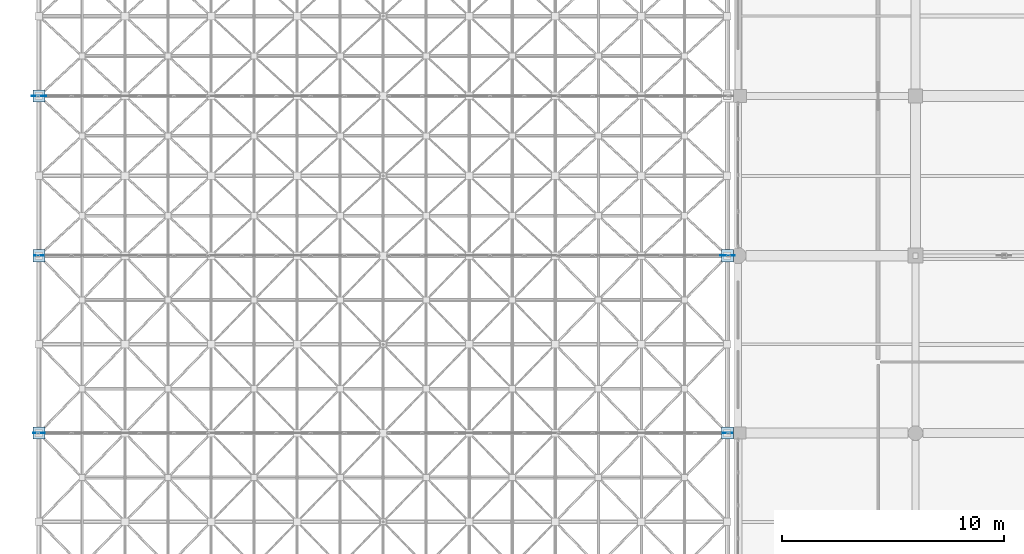
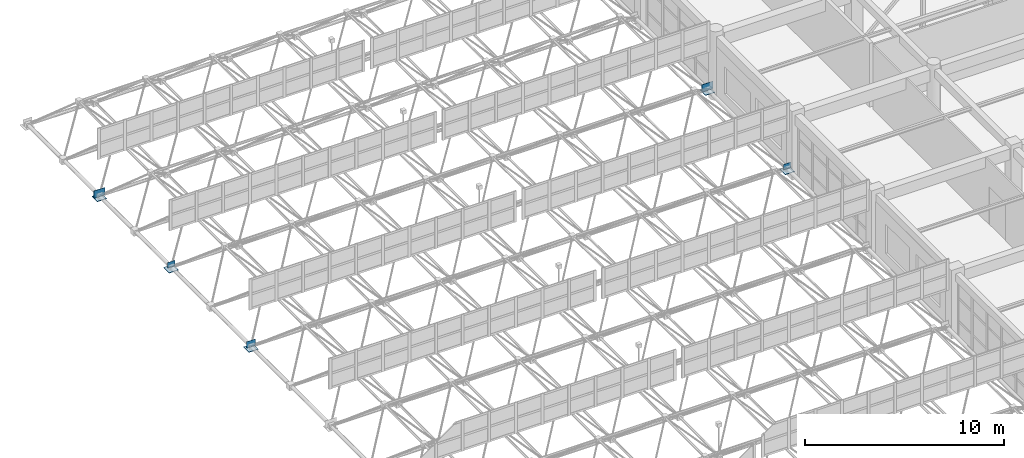
# One storey, part 160 of 195: 10 plates.
"""IFC4 building model written with IfcOpenShell, lengths in metres."""

import ifcopenshell
import ifcopenshell.guid

model = None  # the IFC model being written
_history = None  # IfcOwnerHistory: only IFC2X3 demands one
_inside = {}  # id of a spatial element -> (the spatial element, [elements in it])
_under = {}  # id of a project, library or spatial element -> (it, [spatial elements below it])
_declared = {}  # id of a project -> (the project, [libraries it declares])
_typed = {}  # id of a type object -> (the type object, [elements of that type])
_made_of = {}  # id of a material, layer set ... -> (it, [elements and type objects made of it])


def new_model(schema):
    """Start an empty IFC model of exactly this schema.

    Asked for "IFC4X3", IfcOpenShell would pick the latest addendum, in which some entities
    have other attributes; the version numbers below select the first issue.
    IFC2X3 requires an IfcOwnerHistory on every rooted entity: one is made here for all.
    """
    global model, _history
    if schema == "IFC4X3":
        model = ifcopenshell.file(schema_version=(4, 3, 0, 0))
    else:
        model = ifcopenshell.file(schema=schema)
    _inside.clear()
    _under.clear()
    _declared.clear()
    _typed.clear()
    _made_of.clear()
    _history = None
    if model.schema == "IFC2X3":
        org = make("IfcOrganization", Name="unknown")
        user = make(
            "IfcPersonAndOrganization",
            ThePerson=make("IfcPerson", FamilyName="unknown"),
            TheOrganization=org,
        )
        app = make(
            "IfcApplication",
            ApplicationDeveloper=org,
            Version="unknown",
            ApplicationFullName="unknown",
            ApplicationIdentifier="unknown",
        )
        _history = make(
            "IfcOwnerHistory",
            OwningUser=user,
            OwningApplication=app,
            ChangeAction="ADDED",
            CreationDate=0,
        )
    return model


def make(cls, **values):
    """One entity of the class cls with the attributes given. An attribute that is None is left unset."""
    return model.create_entity(
        cls, **{name: value for name, value in values.items() if value is not None}
    )


def rooted(cls, **values):
    """An entity with a GlobalId (a new one), such as an element, a storey or a relation."""
    return make(cls, GlobalId=ifcopenshell.guid.new(), OwnerHistory=_history, **values)


def si_unit(unit_type, name, prefix=None):
    """IfcSIUnit, for example si_unit("LENGTHUNIT", "METRE", prefix="MILLI")."""
    return make("IfcSIUnit", UnitType=unit_type, Prefix=prefix, Name=name)


def assignment(units):
    """IfcUnitAssignment: the units of a project."""
    return None if units is None else make("IfcUnitAssignment", Units=units)


def point(xyz):
    """IfcCartesianPoint."""
    return None if xyz is None else make("IfcCartesianPoint", Coordinates=xyz)


def direction(xyz):
    """IfcDirection."""
    return None if xyz is None else make("IfcDirection", DirectionRatios=xyz)


def frame(location, z_axis=None, x_axis=None):
    """IfcAxis2Placement3D, a coordinate frame: its origin and axes. An axis left out is left unset."""
    return make(
        "IfcAxis2Placement3D",
        Location=point(location),
        Axis=direction(z_axis),
        RefDirection=direction(x_axis),
    )


def frame_2d(location, x_axis=None):
    """IfcAxis2Placement2D, a coordinate frame in the plane: its origin and x axis."""
    return make(
        "IfcAxis2Placement2D", Location=point(location), RefDirection=direction(x_axis)
    )


def origin():
    """The frame at (0, 0, 0) with its axes left unset."""
    return frame((0.0, 0.0, 0.0))


def origin_2d():
    """The frame at (0, 0) in the plane with its x axis left unset."""
    return frame_2d((0.0, 0.0))


def place(relative_to, where):
    """IfcLocalPlacement: puts the frame where relative to a parent placement (None: the world)."""
    return make(
        "IfcLocalPlacement", PlacementRelTo=relative_to, RelativePlacement=where
    )


def context(
    kind, dimensions, precision=None, world=None, true_north=None, identifier=None
):
    """IfcGeometricRepresentationContext, for example the 3D "Model" context."""
    return make(
        "IfcGeometricRepresentationContext",
        ContextIdentifier=identifier,
        ContextType=kind,
        CoordinateSpaceDimension=dimensions,
        Precision=precision,
        WorldCoordinateSystem=world,
        TrueNorth=true_north,
    )


def subcontext(parent, identifier, kind, view, scale=None):
    """IfcGeometricRepresentationSubContext, for example "Body" below "Model"."""
    return make(
        "IfcGeometricRepresentationSubContext",
        ContextIdentifier=identifier,
        ContextType=kind,
        ParentContext=parent,
        TargetScale=scale,
        TargetView=view,
    )


def project(units=None, contexts=None):
    """IfcProject with its units and contexts."""
    return rooted(
        "IfcProject",
        Name="project",
        RepresentationContexts=contexts,
        UnitsInContext=assignment(units),
    )


def spatial(cls, under=None, at=None, **own):
    """A site, building, storey or space (cls), placed at a placement, below another one or the project."""
    s = rooted(cls, ObjectPlacement=at, **own)
    if under is not None:
        _under.setdefault(under.id(), (under, []))[1].append(s)
    return s


def profile(cls, at=None, kind="AREA", **sizes):
    """A parametric profile (cls). Its sizes go by their IFC names, for example OverallWidth=200.0."""
    return make(cls, ProfileType=kind, Position=at, **sizes)


def rectangle(**sizes):
    """IfcRectangleProfileDef."""
    return profile("IfcRectangleProfileDef", **sizes)


def extrude(swept, where, along, depth):
    """IfcExtrudedAreaSolid: the profile swept, set in the frame where, extruded along a direction by depth."""
    return make(
        "IfcExtrudedAreaSolid",
        SweptArea=swept,
        Position=where,
        ExtrudedDirection=direction(along),
        Depth=depth,
    )


def shape(context_of_items, identifier, shape_type, items):
    """IfcShapeRepresentation: the items that make up one representation, for example the "Body"."""
    return make(
        "IfcShapeRepresentation",
        ContextOfItems=context_of_items,
        RepresentationIdentifier=identifier,
        RepresentationType=shape_type,
        Items=items,
    )


def material(Name=None, Category=None):
    """IfcMaterial."""
    return make("IfcMaterial", Name=Name, Category=Category)


def made_of(thing, what):
    """Note that an element or type object is made of a material, layer set ...; save() writes the relation."""
    if what is not None:
        _made_of.setdefault(what.id(), (what, []))[1].append(thing)
    return thing


def type_object(cls, material=None, **own):
    """A type object (cls), such as IfcWallType, which elements share."""
    return made_of(rooted(cls, **own), material)


def element(
    cls,
    number,
    at=None,
    inside=None,
    cuts=None,
    type_object=None,
    material=None,
    context=None,
    identifier="Body",
    shape_type=None,
    held_by="IfcProductDefinitionShape",
    body=None,
    shapes=None,
    **own,
):
    """One element of the class cls, such as IfcWall. Its Tag is "e" and its number.

    at: its placement. inside: the storey or other place that contains it. cuts: it is an
    opening in that element (IfcRelVoidsElement). A single representation is given by context,
    identifier, shape_type and body (its items); several are given by shapes. held_by: the class
    of the entity that holds the representations. save() writes the other relations.
    """
    e = rooted(cls, Tag="e%d" % number, ObjectPlacement=at, **own)
    if body is not None:
        shapes = [shape(context, identifier, shape_type, body)]
    if shapes is not None:
        e.Representation = make(held_by, Representations=shapes)
    if inside is not None:
        _inside.setdefault(inside.id(), (inside, []))[1].append(e)
    if cuts is not None:
        rooted(
            "IfcRelVoidsElement", RelatingBuildingElement=cuts, RelatedOpeningElement=e
        )
    if type_object is not None:
        _typed.setdefault(type_object.id(), (type_object, []))[1].append(e)
    return made_of(e, material)


def aggregate(whole, parts):
    """IfcRelAggregates: a whole, such as a stair, and the parts it consists of."""
    return rooted("IfcRelAggregates", RelatingObject=whole, RelatedObjects=parts)


def save(model, path):
    """Write the relations noted so far, then the file.

    IfcRelAggregates (storeys below a building ...), IfcRelContainedInSpatialStructure (elements
    in a storey), IfcRelDefinesByType, IfcRelAssociatesMaterial and IfcRelDeclares: one each for
    every whole, place, type object, material and project.
    """
    for whole, parts in _under.values():
        aggregate(whole, parts)
    for where, things in _inside.values():
        rooted(
            "IfcRelContainedInSpatialStructure",
            RelatedElements=things,
            RelatingStructure=where,
        )
    for kind, things in _typed.values():
        rooted("IfcRelDefinesByType", RelatedObjects=things, RelatingType=kind)
    for what, things in _made_of.values():
        rooted("IfcRelAssociatesMaterial", RelatedObjects=things, RelatingMaterial=what)
    for by, libraries in _declared.values():
        rooted("IfcRelDeclares", RelatingContext=by, RelatedDefinitions=libraries)
    model.write(path)


model = new_model("IFC4")

# Units and contexts
model_context = context("Model", 3, precision=1e-05, world=origin(), true_north=direction((0.0, 1.0)))
body_context = subcontext(model_context, "Body", "Model", "MODEL_VIEW")
ifc_project = project(units=[si_unit("LENGTHUNIT", "METRE"), si_unit("AREAUNIT", "SQUARE_METRE"), si_unit("VOLUMEUNIT", "CUBIC_METRE"), si_unit("PLANEANGLEUNIT", "RADIAN"), si_unit("MASSUNIT", "GRAM", prefix="KILO")], contexts=[model_context])

# Site, building, storey
site_placement = place(None, origin())
site = spatial("IfcSite", under=ifc_project, at=site_placement, CompositionType="ELEMENT")
building_placement = place(site_placement, origin())
building = spatial("IfcBuilding", under=site, at=building_placement, Name="Kharva Crest Polytechnic", CompositionType="ELEMENT")
storey_placement = place(building_placement, frame((0.0, 0.0, 9.0)))
storey = spatial("IfcBuildingStorey", under=building, at=storey_placement, Name="L02", CompositionType="ELEMENT", Elevation=9.0)

# Plates
ifc_material = material(Name="Steel S355", Category="steel")
plate_type_1 = type_object("IfcPlateType", Name="PLT-BASE-550X550X28", PredefinedType="USERDEFINED", material=ifc_material)
for number, where, z_axis, x_axis, name in (
    (1, (0.47998046875, 70.800048828125, 0.4658203125), (0.0, 0.0, 1.0), (1.0, 0.0, 0.0), "Space Frame Bearing Seat Plate 0-8"),
    (2, (0.47998046875, 78.800048828125, 0.4658203125), (0.0, 0.0, 1.0), (1.0, 0.0, 0.0), "Space Frame Bearing Seat Plate 0-10"),
    (3, (0.47998046875, 86.0, 0.4658203125), (0.0, 0.0, 1.0), (1.0, 0.0, 0.0), "Space Frame Bearing Seat Plate 0-12"),
    (4, (31.52001953125, 70.800048828125, 0.4658203125), (0.0, 0.0, 1.0), (1.0, 0.0, 0.0), "Space Frame Bearing Seat Plate 8-8"),
    (5, (31.52001953125, 78.800048828125, 0.4658203125), (0.0, 0.0, 1.0), (1.0, 0.0, 0.0), "Space Frame Bearing Seat Plate 8-10"),
):
    element("IfcPlate", number, at=place(storey_placement, frame(where, z_axis=z_axis, x_axis=x_axis)), inside=storey, type_object=plate_type_1, Name=name, ObjectType="BASE PLATE", PredefinedType="USERDEFINED", context=body_context, shape_type="SweptSolid", body=[
        extrude(rectangle(XDim=0.550048828125, YDim=0.550048828125, at=origin_2d()), origin(), (0.0, 0.0, 1.0), 0.028076171875),
    ])
plate_type_2 = type_object("IfcPlateType", Name="PLT-GUS-440X330X14", PredefinedType="USERDEFINED", material=ifc_material)
for number, where, z_axis, x_axis, name in (
    (6, (0.47998046875, 78.800048828125, 0.594970703125), (0.0, 0.0, 1.0), (1.0, 0.0, 0.0), "Space Frame Node Gusset Plate 0-10"),
    (7, (31.52001953125, 70.800048828125, 0.594970703125), (0.0, 0.0, 1.0), (1.0, 0.0, 0.0), "Space Frame Node Gusset Plate 8-8"),
):
    element("IfcPlate", number, at=place(storey_placement, frame(where, z_axis=z_axis, x_axis=x_axis)), inside=storey, type_object=plate_type_2, Name=name, ObjectType="GUSSET PLATE", PredefinedType="USERDEFINED", context=body_context, shape_type="SweptSolid", body=[
        extrude(rectangle(XDim=0.43994140625, YDim=0.013916015625, at=origin_2d()), origin(), (0.0, 0.0, 1.0), 0.330078125),
    ])
plate_type_3 = type_object("IfcPlateType", Name="PLT-GUS-520X380X16", PredefinedType="USERDEFINED", material=ifc_material)
plate_placement = place(storey_placement, frame((0.47998046875, 70.800048828125, 0.570068359375), z_axis=(0.0, 0.0, 1.0), x_axis=(1.0, 0.0, 0.0)))
element("IfcPlate", 8, at=plate_placement, inside=storey, type_object=plate_type_3, Name="Space Frame Node Gusset Plate 0-8", ObjectType="GUSSET PLATE", PredefinedType="USERDEFINED", context=body_context, shape_type="SweptSolid", body=[
    extrude(rectangle(XDim=0.52001953125, YDim=0.01611328125, at=origin_2d()), origin(), (0.0, 0.0, 1.0), 0.3798828125),
])
plate_type_4 = type_object("IfcPlateType", Name="PLT-GUS-650X450X20", PredefinedType="USERDEFINED", material=ifc_material)
for number, where, z_axis, x_axis, name in (
    (9, (0.47998046875, 86.0, 0.53515625), (0.0, 0.0, 1.0), (1.0, 0.0, 0.0), "Space Frame Node Gusset Plate 0-12"),
    (10, (31.52001953125, 78.800048828125, 0.53515625), (0.0, 0.0, 1.0), (1.0, 0.0, 0.0), "Space Frame Node Gusset Plate 8-10"),
):
    element("IfcPlate", number, at=place(storey_placement, frame(where, z_axis=z_axis, x_axis=x_axis)), inside=storey, type_object=plate_type_4, Name=name, ObjectType="GUSSET PLATE", PredefinedType="USERDEFINED", context=body_context, shape_type="SweptSolid", body=[
        extrude(rectangle(XDim=0.64990234375, YDim=0.02001953125, at=origin_2d()), origin(), (0.0, 0.0, 1.0), 0.449951171875),
    ])

save(model, "model.ifc")
